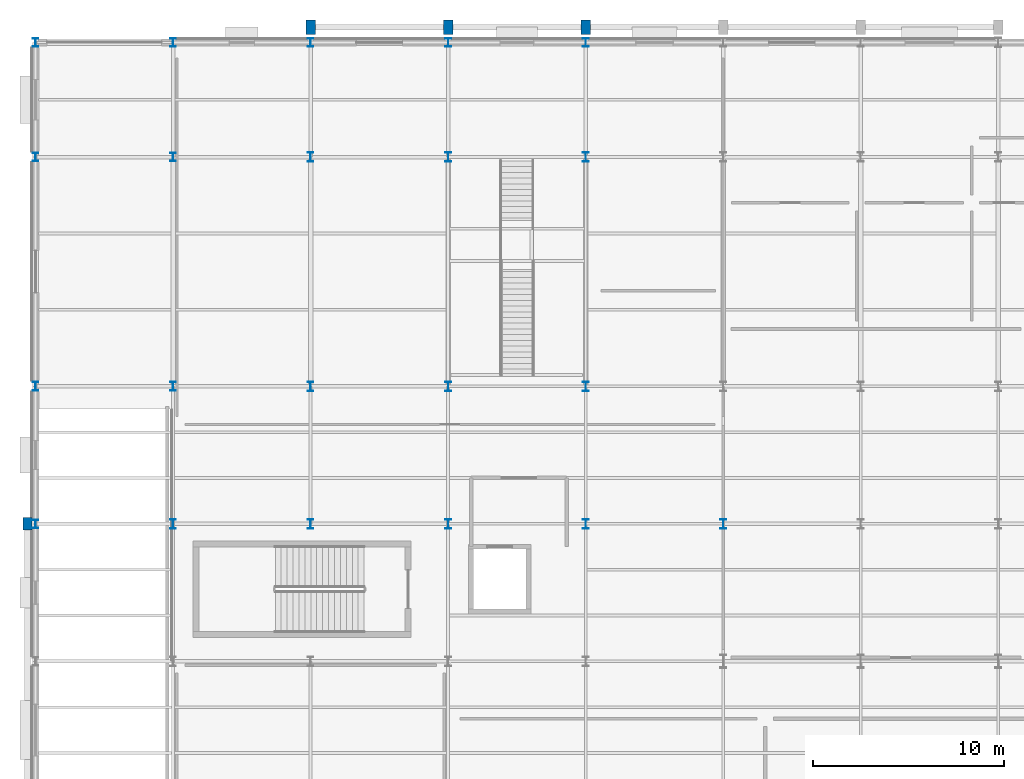
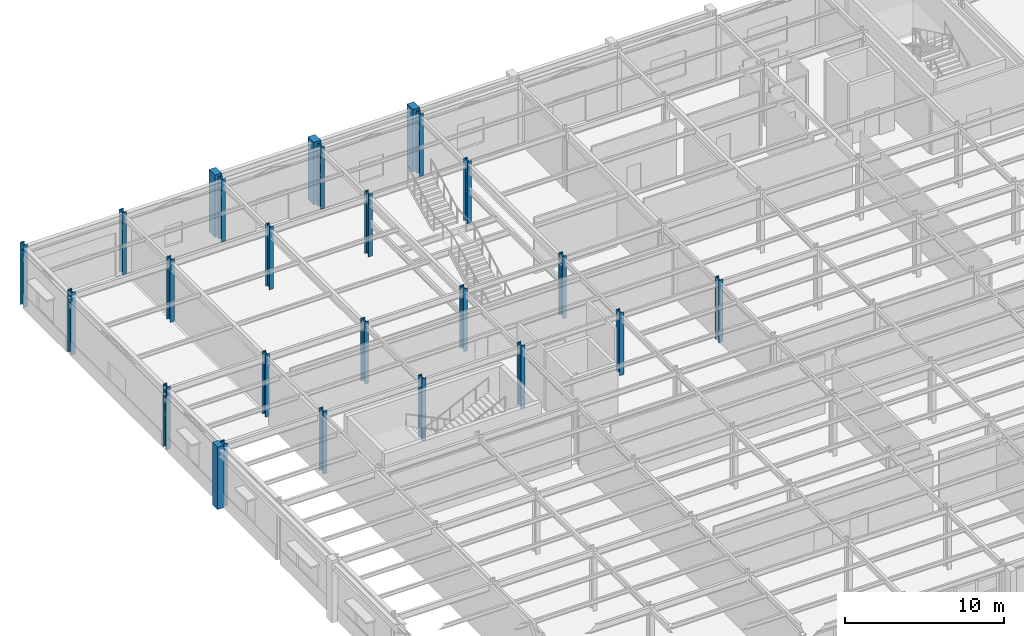
# One storey, part 10 of 83: 25 columns.
"""IFC4 building model written with IfcOpenShell, lengths in metres."""

from ifc_helpers import new_model, si_unit, direction, frame, origin, origin_2d, place, context, subcontext, project, spatial, rectangle, i_section, extrude, material, material_profile, profile_set, type_object, element, save


model = new_model("IFC4")

# Units and contexts
model_context = context("Model", 3, precision=1e-05, world=origin(), true_north=direction((0.0, 1.0)))
body_context = subcontext(model_context, "Body", "Model", "MODEL_VIEW")
ifc_project = project(units=[si_unit("LENGTHUNIT", "METRE"), si_unit("AREAUNIT", "SQUARE_METRE"), si_unit("VOLUMEUNIT", "CUBIC_METRE"), si_unit("PLANEANGLEUNIT", "RADIAN"), si_unit("MASSUNIT", "GRAM", prefix="KILO")], contexts=[model_context])

# Site, building, storey
site_placement = place(None, origin())
site = spatial("IfcSite", under=ifc_project, at=site_placement, CompositionType="ELEMENT")
building_placement = place(site_placement, origin())
building = spatial("IfcBuilding", under=site, at=building_placement, Name="Solvadek Multi-Sports Hall", CompositionType="ELEMENT")
storey_placement = place(building_placement, origin())
storey = spatial("IfcBuildingStorey", under=building, at=storey_placement, Name="L00", CompositionType="ELEMENT", Elevation=0.0)

# Columns
ifc_material_1 = material(Name="Steel E350 (350 MPa)", Category="steel")
ifc_material_profile_1 = material_profile(ifc_material_1, i_section(OverallWidth=0.300048828125, OverallDepth=0.449951171875, WebThickness=0.013916015625, FlangeThickness=0.02587890625, at=origin_2d()), Name="WPB 450")
ifc_profile_set_1 = profile_set([ifc_material_profile_1], Name="Steel E350 (350 MPa)")
column_type_1 = type_object("IfcColumnType", Name="STR-COL-WPB450", PredefinedType="COLUMN", material=ifc_profile_set_1)
for number, where, z_axis, x_axis, name in (
    (1, (0.0, 85.199951171875, 0.0), (0.0, 0.0, 1.0), (1.0, 0.0, 0.0), "L00 Column C-06 #10"),
    (2, (0.0, 92.39990234375, 0.0), (0.0, 0.0, 1.0), (1.0, 0.0, 0.0), "L00 Column C-06 #11"),
    (3, (0.0, 104.39990234375, 0.0), (0.0, 0.0, 1.0), (1.0, 0.0, 0.0), "L00 Column C-06 #12"),
    (4, (0.0, 110.39990234375, 0.0), (0.0, 0.0, 1.0), (1.0, 0.0, 0.0), "L00 Column C-06 #13"),
    (5, (7.199951171875, 92.39990234375, 0.0), (0.0, 0.0, 1.0), (1.0, 0.0, 0.0), "L00 Column C-06 #24"),
    (6, (7.199951171875, 104.39990234375, 0.0), (0.0, 0.0, 1.0), (1.0, 0.0, 0.0), "L00 Column C-06 #25"),
    (7, (7.199951171875, 110.39990234375, 0.0), (0.0, 0.0, 1.0), (1.0, 0.0, 0.0), "L00 Column C-06 #26"),
    (8, (14.39990234375, 110.39990234375, 0.0), (0.0, 0.0, 1.0), (1.0, 0.0, 0.0), "L00 Column C-06 #39"),
    (9, (21.60009765625, 110.39990234375, 0.0), (0.0, 0.0, 1.0), (1.0, 0.0, 0.0), "L00 Column C-06 #52"),
    (10, (28.800048828125, 110.39990234375, 0.0), (0.0, 0.0, 1.0), (1.0, 0.0, 0.0), "L00 Column C-06 #65"),
):
    element("IfcColumn", number, at=place(storey_placement, frame(where, z_axis=z_axis, x_axis=x_axis)), inside=storey, type_object=column_type_1, Name=name, PredefinedType="COLUMN", context=body_context, shape_type="SweptSolid", body=[
        extrude(i_section(OverallWidth=0.300048828125, OverallDepth=0.449951171875, WebThickness=0.013916015625, FlangeThickness=0.02587890625, at=origin_2d()), origin(), (0.0, 0.0, 1.0), 4.800048828125),
    ])
ifc_material_profile_2 = material_profile(ifc_material_1, i_section(OverallWidth=0.300048828125, OverallDepth=0.5, WebThickness=0.014404296875, FlangeThickness=0.028076171875, at=origin_2d()), Name="WPB 500")
ifc_profile_set_2 = profile_set([ifc_material_profile_2], Name="Steel E350 (350 MPa)")
column_type_2 = type_object("IfcColumnType", Name="STR-COL-WPB500", PredefinedType="COLUMN", material=ifc_profile_set_2)
for number, where, z_axis, x_axis, name in (
    (11, (7.199951171875, 85.199951171875, 0.0), (0.0, 0.0, 1.0), (1.0, 0.0, 0.0), "L00 Column C-05 #23"),
    (12, (14.39990234375, 85.199951171875, 0.0), (0.0, 0.0, 1.0), (1.0, 0.0, 0.0), "L00 Column C-05 #36"),
    (13, (14.39990234375, 92.39990234375, 0.0), (0.0, 0.0, 1.0), (1.0, 0.0, 0.0), "L00 Column C-05 #37"),
    (14, (14.39990234375, 104.39990234375, 0.0), (0.0, 0.0, 1.0), (1.0, 0.0, 0.0), "L00 Column C-05 #38"),
    (15, (21.60009765625, 85.199951171875, 0.0), (0.0, 0.0, 1.0), (1.0, 0.0, 0.0), "L00 Column C-05 #49"),
    (16, (21.60009765625, 92.39990234375, 0.0), (0.0, 0.0, 1.0), (1.0, 0.0, 0.0), "L00 Column C-05 #50"),
    (17, (21.60009765625, 104.39990234375, 0.0), (0.0, 0.0, 1.0), (1.0, 0.0, 0.0), "L00 Column C-05 #51"),
    (18, (28.800048828125, 85.199951171875, 0.0), (0.0, 0.0, 1.0), (1.0, 0.0, 0.0), "L00 Column C-05 #62"),
    (19, (28.800048828125, 92.39990234375, 0.0), (0.0, 0.0, 1.0), (1.0, 0.0, 0.0), "L00 Column C-05 #63"),
    (20, (28.800048828125, 104.39990234375, 0.0), (0.0, 0.0, 1.0), (1.0, 0.0, 0.0), "L00 Column C-05 #64"),
    (21, (36.0, 85.199951171875, 0.0), (0.0, 0.0, 1.0), (1.0, 0.0, 0.0), "L00 Column C-05 #77"),
):
    element("IfcColumn", number, at=place(storey_placement, frame(where, z_axis=z_axis, x_axis=x_axis)), inside=storey, type_object=column_type_2, Name=name, PredefinedType="COLUMN", context=body_context, shape_type="SweptSolid", body=[
        extrude(i_section(OverallWidth=0.300048828125, OverallDepth=0.5, WebThickness=0.014404296875, FlangeThickness=0.028076171875, at=origin_2d()), origin(), (0.0, 0.0, 1.0), 4.800048828125),
    ])
ifc_material_2 = material(Name="Precast concrete M40", Category="concrete")
ifc_material_profile_3 = material_profile(ifc_material_2, rectangle(XDim=0.449951171875, YDim=0.64990234375, at=origin_2d()), Name="RC PILASTER 650x450")
ifc_profile_set_3 = profile_set([ifc_material_profile_3], Name="Precast concrete M40")
column_type_3 = type_object("IfcColumnType", Name="STR-PIL-650X450", PredefinedType="PILASTER", material=ifc_profile_set_3)
column_placement = place(storey_placement, frame((-0.419921875, 85.199951171875, 0.0), z_axis=(0.0, 0.0, 1.0), x_axis=(1.0, 0.0, 0.0)))
element("IfcColumn", 22, at=column_placement, inside=storey, type_object=column_type_3, Name="L00 Column CP-01 #316", PredefinedType="PILASTER", context=body_context, shape_type="SweptSolid", body=[
    extrude(rectangle(XDim=0.449951171875, YDim=0.64990234375, at=origin_2d()), origin(), (0.0, 0.0, 1.0), 4.800048828125),
])
ifc_material_profile_4 = material_profile(ifc_material_2, rectangle(XDim=0.5, YDim=0.75, at=origin_2d()), Name="RC PILASTER 750x500")
ifc_profile_set_4 = profile_set([ifc_material_profile_4], Name="Precast concrete M40")
column_type_4 = type_object("IfcColumnType", Name="STR-PIL-750X500", PredefinedType="PILASTER", material=ifc_profile_set_4)
for number, where, z_axis, x_axis, name in (
    (23, (14.39990234375, 111.199951171875, 0.0), (0.0, 0.0, 1.0), (1.0, 0.0, 0.0), "L00 Column CP-02 #317"),
    (24, (21.60009765625, 111.199951171875, 0.0), (0.0, 0.0, 1.0), (1.0, 0.0, 0.0), "L00 Column CP-02 #318"),
    (25, (28.800048828125, 111.199951171875, 0.0), (0.0, 0.0, 1.0), (1.0, 0.0, 0.0), "L00 Column CP-02 #319"),
):
    element("IfcColumn", number, at=place(storey_placement, frame(where, z_axis=z_axis, x_axis=x_axis)), inside=storey, type_object=column_type_4, Name=name, PredefinedType="PILASTER", context=body_context, shape_type="SweptSolid", body=[
        extrude(rectangle(XDim=0.5, YDim=0.75, at=origin_2d()), origin(), (0.0, 0.0, 1.0), 4.800048828125),
    ])

save(model, "model.ifc")
